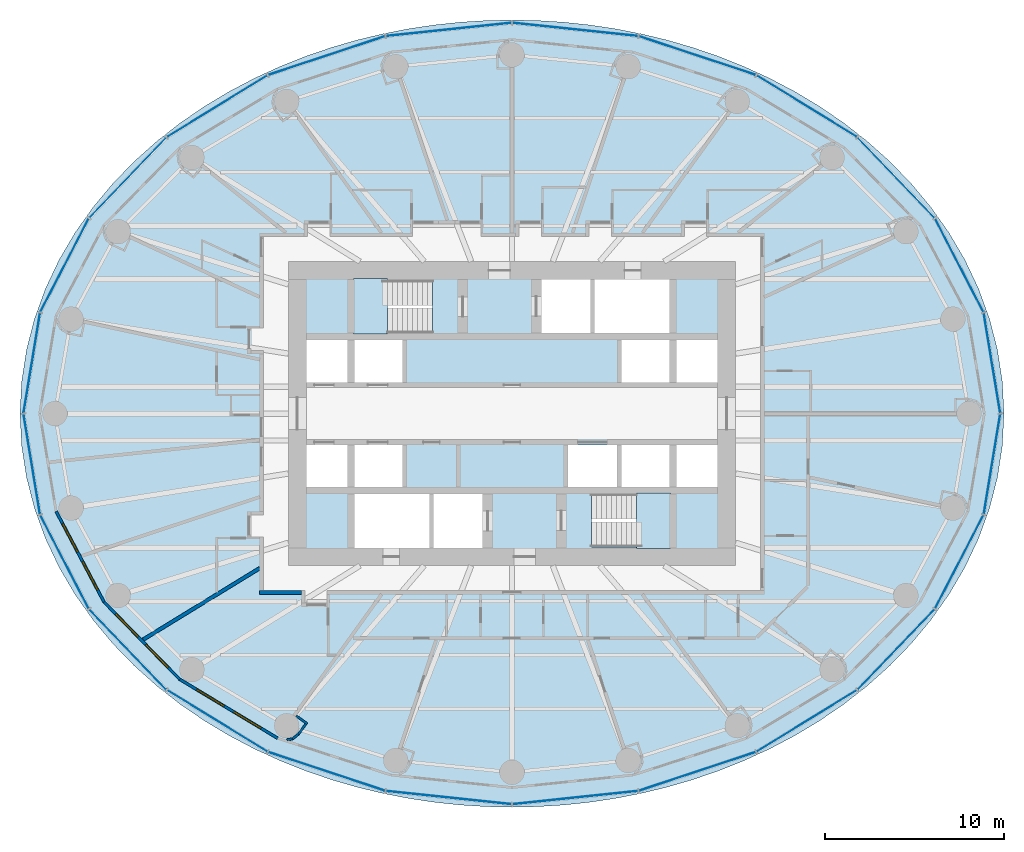
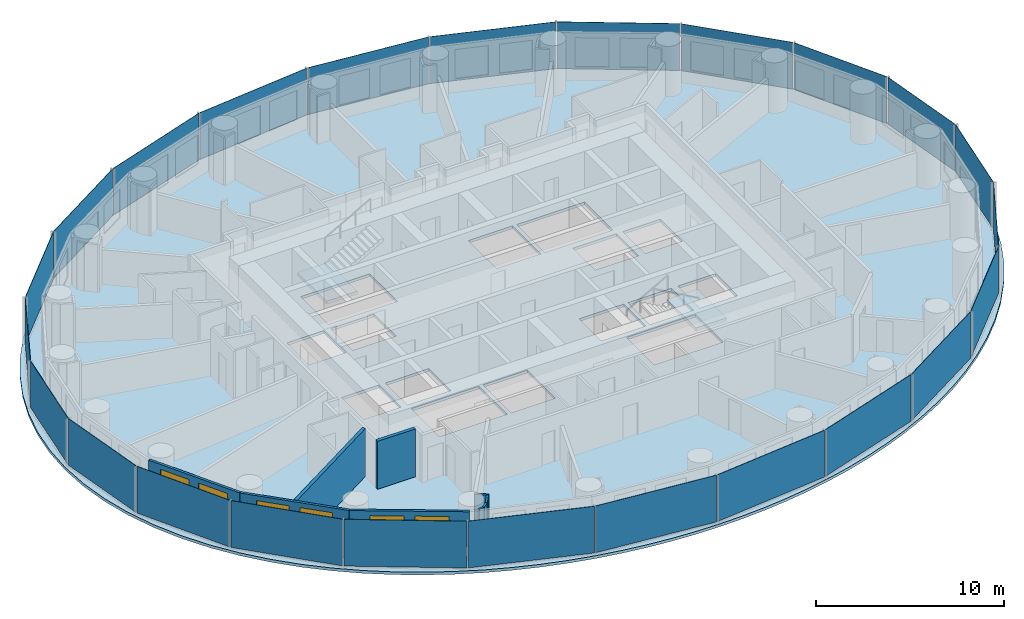
# One storey, part 5 of 14: 24 plates, 9 walls, 6 windows, 3 slabs, 6 openings, 6 elements without a shape of their own.
"""IFC4 building model written with IfcOpenShell, lengths in metres."""

from ifc_helpers import new_model, si_unit, direction, frame, frame_2d, origin, origin_2d, place, context, subcontext, project, spatial, polyline, rectangle, outline, extrude, material, layer, layer_set, type_object, element, fill, aggregate, save


model = new_model("IFC4")

# Units and contexts
model_context = context("Model", 3, precision=1e-05, world=origin(), true_north=direction((0.0, 1.0)))
body_context = subcontext(model_context, "Body", "Model", "MODEL_VIEW")
ifc_project = project(units=[si_unit("LENGTHUNIT", "METRE"), si_unit("AREAUNIT", "SQUARE_METRE"), si_unit("VOLUMEUNIT", "CUBIC_METRE"), si_unit("PLANEANGLEUNIT", "RADIAN"), si_unit("MASSUNIT", "GRAM", prefix="KILO")], contexts=[model_context])

# Site, building, storey
site_placement = place(None, origin())
site = spatial("IfcSite", under=ifc_project, at=site_placement, CompositionType="ELEMENT")
building_placement = place(site_placement, origin())
building = spatial("IfcBuilding", under=site, at=building_placement, Name="Hankou Lantern Tower", CompositionType="ELEMENT")
storey_placement = place(building_placement, frame((0.0, 0.0, 87.0)))
storey = spatial("IfcBuildingStorey", under=building, at=storey_placement, Name="L22", CompositionType="ELEMENT", Elevation=87.0)

# Curtain wall, plates
ifc_material_1 = material(Name="Glass, dark grey tinted laminated", Category="glass")
curtain_wall_type = type_object("IfcCurtainWallType", Name="CWA OUTER SKIN LOW-RISE", PredefinedType="USERDEFINED", material=ifc_material_1)
curtain_wall_1_placement = place(storey_placement, origin())
curtain_wall_1 = element("IfcCurtainWall", 1, at=curtain_wall_1_placement, inside=storey, type_object=curtain_wall_type, Name="CWA L22 OS1", ObjectType="OUTER SKIN LOW-RISE", PredefinedType="USERDEFINED")
ifc_material_2 = material(Name="Glass, dark grey tinted laminated", Category="glass")
ifc_layer_1 = layer(ifc_material_2, 0.02392578125)
ifc_layer_set_1 = layer_set([ifc_layer_1], Name="Glass, dark grey tinted laminated")
plate_type = type_object("IfcPlateType", Name="PN1 OUTER SKIN GLASS PANEL", PredefinedType="CURTAIN_PANEL", material=ifc_layer_set_1)
plate_1_placement = place(storey_placement, frame((26.8349609375, 2.826416015625, 0.080078125), z_axis=(0.0, 0.0, 1.0), x_axis=(-0.162381515188, 0.986728049427, 0.0)))
plate_1 = element("IfcPlate", 2, at=plate_1_placement, type_object=plate_type, Name="CWA glass panel 1", PredefinedType="CURTAIN_PANEL", context=body_context, shape_type="SweptSolid", body=[
    extrude(rectangle(XDim=5.648681640625, YDim=0.02392578125, at=origin_2d()), origin(), (0.0, 0.0, 1.0), 3.0400390625),
])
plate_2_placement = place(storey_placement, frame((25.006103515625, 8.286376953125, 0.080078125), z_axis=(0.0, 0.0, 1.0), x_axis=(-0.459791091957, 0.888027112062, 0.0)))
plate_2 = element("IfcPlate", 3, at=plate_2_placement, type_object=plate_type, Name="CWA glass panel 2", PredefinedType="CURTAIN_PANEL", context=body_context, shape_type="SweptSolid", body=[
    extrude(rectangle(XDim=5.8515625, YDim=0.02392578125, at=origin_2d()), origin(), (0.0, 0.0, 1.0), 3.0400390625),
])
plate_3_placement = place(storey_placement, frame((21.47314453125, 13.181640625, 0.080078125), z_axis=(0.0, 0.0, 1.0), x_axis=(-0.692215809936, 0.721690565599, 0.0)))
plate_3 = element("IfcPlate", 4, at=plate_3_placement, type_object=plate_type, Name="CWA glass panel 3", PredefinedType="CURTAIN_PANEL", context=body_context, shape_type="SweptSolid", body=[
    extrude(rectangle(XDim=6.1875, YDim=0.02392578125, at=origin_2d()), origin(), (0.0, 0.0, 1.0), 3.0400390625),
])
plate_4_placement = place(storey_placement, frame((16.47705078125, 17.1787109375, 0.080078125), z_axis=(0.0, 0.0, 1.0), x_axis=(-0.852237151549, 0.523155653242, 0.0)))
plate_4 = element("IfcPlate", 5, at=plate_4_placement, type_object=plate_type, Name="CWA glass panel 4", PredefinedType="CURTAIN_PANEL", context=body_context, shape_type="SweptSolid", body=[
    extrude(rectangle(XDim=6.554443359375, YDim=0.02392578125, at=origin_2d()), origin(), (0.0, 0.0, 1.0), 3.0400390625),
])
plate_5_placement = place(storey_placement, frame((10.35791015625, 20.0048828125, 0.080078125), z_axis=(0.0, 0.0, 1.0), x_axis=(-0.949240677293, 0.31455068999, 0.0)))
plate_5 = element("IfcPlate", 6, at=plate_5_placement, type_object=plate_type, Name="CWA glass panel 5", PredefinedType="CURTAIN_PANEL", context=body_context, shape_type="SweptSolid", body=[
    extrude(rectangle(XDim=6.856201171875, YDim=0.02392578125, at=origin_2d()), origin(), (0.0, 0.0, 1.0), 3.0400390625),
])
plate_6_placement = place(storey_placement, frame((3.532958984375, 21.468017578125, 0.080078125), z_axis=(0.0, 0.0, 1.0), x_axis=(-0.994499359107, 0.104742659579, 0.0)))
plate_6 = element("IfcPlate", 7, at=plate_6_placement, type_object=plate_type, Name="CWA glass panel 6", PredefinedType="CURTAIN_PANEL", context=body_context, shape_type="SweptSolid", body=[
    extrude(rectangle(XDim=7.02490234375, YDim=0.02392578125, at=origin_2d()), origin(), (0.0, 0.0, 1.0), 3.0400390625),
])
aggregate(curtain_wall_1, [plate_1, plate_2, plate_3, plate_4, plate_5, plate_6])

curtain_wall_2_placement = place(storey_placement, origin())
curtain_wall_2 = element("IfcCurtainWall", 8, at=curtain_wall_2_placement, inside=storey, type_object=curtain_wall_type, Name="CWA L22 OS2", ObjectType="OUTER SKIN LOW-RISE", PredefinedType="USERDEFINED")
plate_7_placement = place(storey_placement, frame((-3.532958984375, 21.468017578125, 0.080078125), z_axis=(0.0, 0.0, 1.0), x_axis=(-0.994499359107, -0.104742659579, 0.0)))
plate_7 = element("IfcPlate", 9, at=plate_7_placement, type_object=plate_type, Name="CWA glass panel 1", PredefinedType="CURTAIN_PANEL", context=body_context, shape_type="SweptSolid", body=[
    extrude(rectangle(XDim=7.02490234375, YDim=0.02392578125, at=origin_2d()), origin(), (0.0, 0.0, 1.0), 3.0400390625),
])
plate_8_placement = place(storey_placement, frame((-10.35791015625, 20.0048828125, 0.080078125), z_axis=(0.0, 0.0, 1.0), x_axis=(-0.949240677293, -0.31455068999, 0.0)))
plate_8 = element("IfcPlate", 10, at=plate_8_placement, type_object=plate_type, Name="CWA glass panel 2", PredefinedType="CURTAIN_PANEL", context=body_context, shape_type="SweptSolid", body=[
    extrude(rectangle(XDim=6.856201171875, YDim=0.02392578125, at=origin_2d()), origin(), (0.0, 0.0, 1.0), 3.0400390625),
])
plate_9_placement = place(storey_placement, frame((-16.47705078125, 17.1787109375, 0.080078125), z_axis=(0.0, 0.0, 1.0), x_axis=(-0.852237151549, -0.523155653242, 0.0)))
plate_9 = element("IfcPlate", 11, at=plate_9_placement, type_object=plate_type, Name="CWA glass panel 3", PredefinedType="CURTAIN_PANEL", context=body_context, shape_type="SweptSolid", body=[
    extrude(rectangle(XDim=6.554443359375, YDim=0.02392578125, at=origin_2d()), origin(), (0.0, 0.0, 1.0), 3.0400390625),
])
plate_10_placement = place(storey_placement, frame((-21.47314453125, 13.181640625, 0.080078125), z_axis=(0.0, 0.0, 1.0), x_axis=(-0.692215809936, -0.721690565599, 0.0)))
plate_10 = element("IfcPlate", 12, at=plate_10_placement, type_object=plate_type, Name="CWA glass panel 4", PredefinedType="CURTAIN_PANEL", context=body_context, shape_type="SweptSolid", body=[
    extrude(rectangle(XDim=6.1875, YDim=0.02392578125, at=origin_2d()), origin(), (0.0, 0.0, 1.0), 3.0400390625),
])
plate_11_placement = place(storey_placement, frame((-25.006103515625, 8.286376953125, 0.080078125), z_axis=(0.0, 0.0, 1.0), x_axis=(-0.459791091957, -0.888027112062, 0.0)))
plate_11 = element("IfcPlate", 13, at=plate_11_placement, type_object=plate_type, Name="CWA glass panel 5", PredefinedType="CURTAIN_PANEL", context=body_context, shape_type="SweptSolid", body=[
    extrude(rectangle(XDim=5.8515625, YDim=0.02392578125, at=origin_2d()), origin(), (0.0, 0.0, 1.0), 3.0400390625),
])
plate_12_placement = place(storey_placement, frame((-26.8349609375, 2.826416015625, 0.080078125), z_axis=(0.0, 0.0, 1.0), x_axis=(-0.162381515188, -0.986728049427, 0.0)))
plate_12 = element("IfcPlate", 14, at=plate_12_placement, type_object=plate_type, Name="CWA glass panel 6", PredefinedType="CURTAIN_PANEL", context=body_context, shape_type="SweptSolid", body=[
    extrude(rectangle(XDim=5.648681640625, YDim=0.02392578125, at=origin_2d()), origin(), (0.0, 0.0, 1.0), 3.0400390625),
])
aggregate(curtain_wall_2, [plate_7, plate_8, plate_9, plate_10, plate_11, plate_12])

curtain_wall_3_placement = place(storey_placement, origin())
curtain_wall_3 = element("IfcCurtainWall", 15, at=curtain_wall_3_placement, inside=storey, type_object=curtain_wall_type, Name="CWA L22 OS3", ObjectType="OUTER SKIN LOW-RISE", PredefinedType="USERDEFINED")
plate_13_placement = place(storey_placement, frame((-26.8349609375, -2.826416015625, 0.080078125), z_axis=(0.0, 0.0, 1.0), x_axis=(0.162381515188, -0.986728049427, 0.0)))
plate_13 = element("IfcPlate", 16, at=plate_13_placement, type_object=plate_type, Name="CWA glass panel 1", PredefinedType="CURTAIN_PANEL", context=body_context, shape_type="SweptSolid", body=[
    extrude(rectangle(XDim=5.648681640625, YDim=0.02392578125, at=origin_2d()), origin(), (0.0, 0.0, 1.0), 3.0400390625),
])
plate_14_placement = place(storey_placement, frame((-25.006103515625, -8.286376953125, 0.080078125), z_axis=(0.0, 0.0, 1.0), x_axis=(0.459791091957, -0.888027112062, 0.0)))
plate_14 = element("IfcPlate", 17, at=plate_14_placement, type_object=plate_type, Name="CWA glass panel 2", PredefinedType="CURTAIN_PANEL", context=body_context, shape_type="SweptSolid", body=[
    extrude(rectangle(XDim=5.8515625, YDim=0.02392578125, at=origin_2d()), origin(), (0.0, 0.0, 1.0), 3.0400390625),
])
plate_15_placement = place(storey_placement, frame((-21.47314453125, -13.181640625, 0.080078125), z_axis=(0.0, 0.0, 1.0), x_axis=(0.692215809936, -0.721690565599, 0.0)))
plate_15 = element("IfcPlate", 18, at=plate_15_placement, type_object=plate_type, Name="CWA glass panel 3", PredefinedType="CURTAIN_PANEL", context=body_context, shape_type="SweptSolid", body=[
    extrude(rectangle(XDim=6.1875, YDim=0.02392578125, at=origin_2d()), origin(), (0.0, 0.0, 1.0), 3.0400390625),
])
plate_16_placement = place(storey_placement, frame((-16.47705078125, -17.1787109375, 0.080078125), z_axis=(0.0, 0.0, 1.0), x_axis=(0.852237151549, -0.523155653242, 0.0)))
plate_16 = element("IfcPlate", 19, at=plate_16_placement, type_object=plate_type, Name="CWA glass panel 4", PredefinedType="CURTAIN_PANEL", context=body_context, shape_type="SweptSolid", body=[
    extrude(rectangle(XDim=6.554443359375, YDim=0.02392578125, at=origin_2d()), origin(), (0.0, 0.0, 1.0), 3.0400390625),
])
plate_17_placement = place(storey_placement, frame((-10.35791015625, -20.0048828125, 0.080078125), z_axis=(0.0, 0.0, 1.0), x_axis=(0.949240677293, -0.31455068999, 0.0)))
plate_17 = element("IfcPlate", 20, at=plate_17_placement, type_object=plate_type, Name="CWA glass panel 5", PredefinedType="CURTAIN_PANEL", context=body_context, shape_type="SweptSolid", body=[
    extrude(rectangle(XDim=6.856201171875, YDim=0.02392578125, at=origin_2d()), origin(), (0.0, 0.0, 1.0), 3.0400390625),
])
plate_18_placement = place(storey_placement, frame((-3.532958984375, -21.468017578125, 0.080078125), z_axis=(0.0, 0.0, 1.0), x_axis=(0.994499359107, -0.104742659579, 0.0)))
plate_18 = element("IfcPlate", 21, at=plate_18_placement, type_object=plate_type, Name="CWA glass panel 6", PredefinedType="CURTAIN_PANEL", context=body_context, shape_type="SweptSolid", body=[
    extrude(rectangle(XDim=7.02490234375, YDim=0.02392578125, at=origin_2d()), origin(), (0.0, 0.0, 1.0), 3.0400390625),
])
aggregate(curtain_wall_3, [plate_13, plate_14, plate_15, plate_16, plate_17, plate_18])

curtain_wall_4_placement = place(storey_placement, origin())
curtain_wall_4 = element("IfcCurtainWall", 22, at=curtain_wall_4_placement, inside=storey, type_object=curtain_wall_type, Name="CWA L22 OS4", ObjectType="OUTER SKIN LOW-RISE", PredefinedType="USERDEFINED")
plate_19_placement = place(storey_placement, frame((3.532958984375, -21.468017578125, 0.080078125), z_axis=(0.0, 0.0, 1.0), x_axis=(0.994499359107, 0.104742659579, 0.0)))
plate_19 = element("IfcPlate", 23, at=plate_19_placement, type_object=plate_type, Name="CWA glass panel 1", PredefinedType="CURTAIN_PANEL", context=body_context, shape_type="SweptSolid", body=[
    extrude(rectangle(XDim=7.02490234375, YDim=0.02392578125, at=origin_2d()), origin(), (0.0, 0.0, 1.0), 3.0400390625),
])
plate_20_placement = place(storey_placement, frame((10.35791015625, -20.0048828125, 0.080078125), z_axis=(0.0, 0.0, 1.0), x_axis=(0.949240677293, 0.31455068999, 0.0)))
plate_20 = element("IfcPlate", 24, at=plate_20_placement, type_object=plate_type, Name="CWA glass panel 2", PredefinedType="CURTAIN_PANEL", context=body_context, shape_type="SweptSolid", body=[
    extrude(rectangle(XDim=6.856201171875, YDim=0.02392578125, at=origin_2d()), origin(), (0.0, 0.0, 1.0), 3.0400390625),
])
plate_21_placement = place(storey_placement, frame((16.47705078125, -17.1787109375, 0.080078125), z_axis=(0.0, 0.0, 1.0), x_axis=(0.852237151549, 0.523155653242, 0.0)))
plate_21 = element("IfcPlate", 25, at=plate_21_placement, type_object=plate_type, Name="CWA glass panel 3", PredefinedType="CURTAIN_PANEL", context=body_context, shape_type="SweptSolid", body=[
    extrude(rectangle(XDim=6.554443359375, YDim=0.02392578125, at=origin_2d()), origin(), (0.0, 0.0, 1.0), 3.0400390625),
])
plate_22_placement = place(storey_placement, frame((21.47314453125, -13.181640625, 0.080078125), z_axis=(0.0, 0.0, 1.0), x_axis=(0.692215809936, 0.721690565599, 0.0)))
plate_22 = element("IfcPlate", 26, at=plate_22_placement, type_object=plate_type, Name="CWA glass panel 4", PredefinedType="CURTAIN_PANEL", context=body_context, shape_type="SweptSolid", body=[
    extrude(rectangle(XDim=6.1875, YDim=0.02392578125, at=origin_2d()), origin(), (0.0, 0.0, 1.0), 3.0400390625),
])
plate_23_placement = place(storey_placement, frame((25.006103515625, -8.286376953125, 0.080078125), z_axis=(0.0, 0.0, 1.0), x_axis=(0.459791091957, 0.888027112062, 0.0)))
plate_23 = element("IfcPlate", 27, at=plate_23_placement, type_object=plate_type, Name="CWA glass panel 5", PredefinedType="CURTAIN_PANEL", context=body_context, shape_type="SweptSolid", body=[
    extrude(rectangle(XDim=5.8515625, YDim=0.02392578125, at=origin_2d()), origin(), (0.0, 0.0, 1.0), 3.0400390625),
])
plate_24_placement = place(storey_placement, frame((26.8349609375, -2.826416015625, 0.080078125), z_axis=(0.0, 0.0, 1.0), x_axis=(0.162381515188, 0.986728049427, 0.0)))
plate_24 = element("IfcPlate", 28, at=plate_24_placement, type_object=plate_type, Name="CWA glass panel 6", PredefinedType="CURTAIN_PANEL", context=body_context, shape_type="SweptSolid", body=[
    extrude(rectangle(XDim=5.648681640625, YDim=0.02392578125, at=origin_2d()), origin(), (0.0, 0.0, 1.0), 3.0400390625),
])
aggregate(curtain_wall_4, [plate_19, plate_20, plate_21, plate_22, plate_23, plate_24])

# Slab
ifc_material_3 = material(Name="Concrete C50", Category="concrete")
ifc_layer_2 = layer(ifc_material_3, 0.179931640625)
ifc_layer_set_2 = layer_set([ifc_layer_2], Name="Concrete C50")
slab_type_1 = type_object("IfcSlabType", Name="S1 CONCRETE FLOOR SLAB 180", PredefinedType="FLOOR", material=ifc_layer_set_2)
slab_1_placement = place(storey_placement, frame((0.0, 0.0, -0.179931640625)))
element("IfcSlab", 29, at=slab_1_placement, inside=storey, type_object=slab_type_1, Name="Floor slab L22", PredefinedType="FLOOR", context=body_context, shape_type="SweptSolid", body=[
    extrude(outline(polyline([(27.5, 0.0), (27.408203125, 1.79638671875), (27.135009765625, 3.572509765625), (26.6875, 5.308349609375), (26.076171875, 6.987060546875), (25.3154296875, 8.593505859375), (24.420654296875, 10.115478515625), (23.40966796875, 11.54443359375), (22.29931640625, 12.87451171875), (21.1064453125, 14.102783203125), (19.846435546875, 15.228759765625), (18.533447265625, 16.25341796875), (17.17919921875, 17.17919921875), (15.794189453125, 18.009765625), (14.38671875, 18.749267578125), (12.964111328125, 19.402099609375), (11.53125, 19.972412109375), (10.09228515625, 20.46484375), (8.650146484375, 20.88330078125), (7.20703125, 21.23095703125), (5.763916015625, 21.51123046875), (4.32177734375, 21.7265625), (2.88037109375, 21.87890625), (1.43994140625, 21.9697265625), (0.0, 22.0), (-1.43994140625, 21.9697265625), (-2.88037109375, 21.87890625), (-4.32177734375, 21.7265625), (-5.763916015625, 21.51123046875), (-7.20703125, 21.23095703125), (-8.650146484375, 20.88330078125), (-10.09228515625, 20.46484375), (-11.53125, 19.972412109375), (-12.964111328125, 19.402099609375), (-14.38671875, 18.749267578125), (-15.794189453125, 18.009765625), (-17.17919921875, 17.17919921875), (-18.533447265625, 16.25341796875), (-19.846435546875, 15.228759765625), (-21.1064453125, 14.102783203125), (-22.29931640625, 12.87451171875), (-23.40966796875, 11.54443359375), (-24.420654296875, 10.115478515625), (-25.3154296875, 8.593505859375), (-26.076171875, 6.987060546875), (-26.6875, 5.308349609375), (-27.135009765625, 3.572509765625), (-27.408203125, 1.79638671875), (-27.5, 0.0), (-27.408203125, -1.79638671875), (-27.135009765625, -3.572509765625), (-26.6875, -5.308349609375), (-26.076171875, -6.987060546875), (-25.3154296875, -8.593505859375), (-24.420654296875, -10.115478515625), (-23.40966796875, -11.54443359375), (-22.29931640625, -12.87451171875), (-21.1064453125, -14.102783203125), (-19.846435546875, -15.228759765625), (-18.533447265625, -16.25341796875), (-17.17919921875, -17.17919921875), (-15.794189453125, -18.009765625), (-14.38671875, -18.749267578125), (-12.964111328125, -19.402099609375), (-11.53125, -19.972412109375), (-10.09228515625, -20.46484375), (-8.650146484375, -20.88330078125), (-7.20703125, -21.23095703125), (-5.763916015625, -21.51123046875), (-4.32177734375, -21.7265625), (-2.88037109375, -21.87890625), (-1.43994140625, -21.9697265625), (0.0, -22.0), (1.43994140625, -21.9697265625), (2.88037109375, -21.87890625), (4.32177734375, -21.7265625), (5.763916015625, -21.51123046875), (7.20703125, -21.23095703125), (8.650146484375, -20.88330078125), (10.09228515625, -20.46484375), (11.53125, -19.972412109375), (12.964111328125, -19.402099609375), (14.38671875, -18.749267578125), (15.794189453125, -18.009765625), (17.17919921875, -17.17919921875), (18.533447265625, -16.25341796875), (19.846435546875, -15.228759765625), (21.1064453125, -14.102783203125), (22.29931640625, -12.87451171875), (23.40966796875, -11.54443359375), (24.420654296875, -10.115478515625), (25.3154296875, -8.593505859375), (26.076171875, -6.987060546875), (26.6875, -5.308349609375), (27.135009765625, -3.572509765625), (27.408203125, -1.79638671875), (27.5, 0.0)]), holes=[polyline([(-11.5, 4.10009765625), (-9.199951171875, 4.10009765625), (-9.199951171875, 1.75), (-11.5, 1.75), (-11.5, 4.10009765625)]), polyline([(-8.800048828125, 4.10009765625), (-6.125, 4.10009765625), (-6.125, 1.75), (-8.800048828125, 1.75), (-8.800048828125, 4.10009765625)]), polyline([(6.125, 4.10009765625), (8.800048828125, 4.10009765625), (8.800048828125, 1.75), (6.125, 1.75), (6.125, 4.10009765625)]), polyline([(9.199951171875, 4.10009765625), (11.5, 4.10009765625), (11.5, 1.75), (9.199951171875, 1.75), (9.199951171875, 4.10009765625)]), polyline([(-11.5, -1.75), (-9.199951171875, -1.75), (-9.199951171875, -4.10009765625), (-11.5, -4.10009765625), (-11.5, -1.75)]), polyline([(-8.800048828125, -1.75), (-6.125, -1.75), (-6.125, -4.10009765625), (-8.800048828125, -4.10009765625), (-8.800048828125, -1.75)]), polyline([(3.125, -1.75), (5.875, -1.75), (5.875, -4.10009765625), (3.125, -4.10009765625), (3.125, -1.75)]), polyline([(6.125, -1.75), (8.800048828125, -1.75), (8.800048828125, -4.10009765625), (6.125, -4.10009765625), (6.125, -1.75)]), polyline([(9.199951171875, -1.75), (11.5, -1.75), (11.5, -4.10009765625), (9.199951171875, -4.10009765625), (9.199951171875, -1.75)]), polyline([(1.64990234375, 7.5), (4.375, 7.5), (4.375, 4.5), (1.64990234375, 4.5), (1.64990234375, 7.5)]), polyline([(-4.375, -4.5), (-1.64990234375, -4.5), (-1.64990234375, -7.5), (-4.375, -7.5), (-4.375, -4.5)]), polyline([(-8.699951171875, 7.449951171875), (-4.449951171875, 7.449951171875), (-4.449951171875, 4.5), (-8.699951171875, 4.5), (-8.699951171875, 7.449951171875)]), polyline([(4.449951171875, -4.5), (8.699951171875, -4.5), (8.699951171875, -7.449951171875), (4.449951171875, -7.449951171875), (4.449951171875, -4.5)]), polyline([(4.625, 7.5), (8.800048828125, 7.5), (8.800048828125, 4.5), (4.625, 4.5), (4.625, 7.5)]), polyline([(-8.800048828125, -4.5), (-4.625, -4.5), (-4.625, -7.5), (-8.800048828125, -7.5), (-8.800048828125, -4.5)])]), origin(), (0.0, 0.0, 1.0), 0.179931640625),
])

# Stair, slab
ifc_material_4 = material(Name="Concrete C40", Category="concrete")
stair_type = type_object("IfcStairType", Name="ST33 CORE STAIR 3300 RISE", PredefinedType="HALF_TURN_STAIR", material=ifc_material_4)
stair_1_placement = place(storey_placement, origin())
stair_1 = element("IfcStair", 30, at=stair_1_placement, inside=storey, type_object=stair_type, Name="Stair STA L22", PredefinedType="HALF_TURN_STAIR")
ifc_material_5 = material(Name="Concrete C40", Category="concrete")
ifc_layer_3 = layer(ifc_material_5, 0.199951171875)
ifc_layer_set_3 = layer_set([ifc_layer_3], Name="Concrete C40")
slab_type_2 = type_object("IfcSlabType", Name="SL1 STAIR LANDING 200", PredefinedType="LANDING", material=ifc_layer_set_3)
slab_2_placement = place(storey_placement, frame((0.0, 0.0, 1.371337890625)))
slab_2 = element("IfcSlab", 31, at=slab_2_placement, type_object=slab_type_2, Name="STA landing 1", PredefinedType="LANDING", context=body_context, shape_type="SweptSolid", body=[
    extrude(outline(polyline([(-8.85009765625, 4.449951171875), (-6.949951171875, 4.449951171875), (-6.949951171875, 7.550048828125), (-8.85009765625, 7.550048828125), (-8.85009765625, 4.449951171875)])), origin(), (0.0, 0.0, 1.0), 0.2001953125),
])
aggregate(stair_1, [slab_2])

stair_2_placement = place(storey_placement, origin())
stair_2 = element("IfcStair", 32, at=stair_2_placement, inside=storey, type_object=stair_type, Name="Stair STB L22", PredefinedType="HALF_TURN_STAIR")
slab_3_placement = place(storey_placement, frame((0.0, 0.0, 1.371337890625)))
slab_3 = element("IfcSlab", 33, at=slab_3_placement, type_object=slab_type_2, Name="STB landing 1", PredefinedType="LANDING", context=body_context, shape_type="SweptSolid", body=[
    extrude(outline(polyline([(8.85009765625, -4.449951171875), (6.949951171875, -4.449951171875), (6.949951171875, -7.550048828125), (8.85009765625, -7.550048828125), (8.85009765625, -4.449951171875)])), origin(), (0.0, 0.0, 1.0), 0.2001953125),
])
aggregate(stair_2, [slab_3])

# Wall, openings, windows
ifc_material_6 = material(Name="Aluminium spandrel panel on steel studs", Category="steel")
ifc_layer_4 = layer(ifc_material_6, 0.14990234375)
ifc_layer_set_4 = layer_set([ifc_layer_4], Name="Aluminium spandrel panel on steel studs")
wall_type_1 = type_object("IfcWallType", Name="EW1 INNER SKIN WALL 150", PredefinedType="ELEMENTEDWALL", material=ifc_layer_set_4)
wall_1_placement = place(storey_placement, frame((-25.482421875, -5.46240234375, 0.0), z_axis=(0.0, 0.0, 1.0), x_axis=(0.467296867008, -0.884100468321, 0.0)))
wall_1 = element("IfcWall", 34, at=wall_1_placement, inside=storey, type_object=wall_type_1, Name="Inner skin R14-R15 L22", PredefinedType="ELEMENTEDWALL", context=body_context, shape_type="SweptSolid", body=[
    extrude(rectangle(XDim=5.734375, YDim=0.14990234375, at=frame_2d((2.8671875, 0.0))), origin(), (0.0, 0.0, 1.0), 3.1201171875),
])
opening_1_placement = place(wall_1_placement, frame((0.76708984375, 0.0, 0.89990234375)))
opening_1 = element("IfcOpeningElement", 35, at=opening_1_placement, cuts=wall_1, Name="Opening W1", PredefinedType="OPENING", context=body_context, shape_type="SweptSolid", body=[
    extrude(rectangle(XDim=1.800048828125, YDim=1.89990234375, at=frame_2d((0.89990234375, 0.949951171875))), frame((0.0, 0.0849609375, 0.0), z_axis=(0.0, -1.0, 0.0), x_axis=(1.0, 0.0, 0.0)), (0.0, 0.0, 1.0), 0.169921875),
])
opening_2_placement = place(wall_1_placement, frame((3.167236328125, 0.0, 0.89990234375)))
opening_2 = element("IfcOpeningElement", 36, at=opening_2_placement, cuts=wall_1, Name="Opening W1", PredefinedType="OPENING", context=body_context, shape_type="SweptSolid", body=[
    extrude(rectangle(XDim=1.800048828125, YDim=1.89990234375, at=frame_2d((0.89990234375, 0.949951171875))), frame((0.0, 0.0849609375, 0.0), z_axis=(0.0, -1.0, 0.0), x_axis=(1.0, 0.0, 0.0)), (0.0, 0.0, 1.0), 0.169921875),
])
ifc_material_7 = material(Name="Aluminium framed double glazed window", Category="aluminium")
window_type = type_object("IfcWindowType", Name="W1 GUEST ROOM WINDOW 1800X1900", PartitioningType="DOUBLE_PANEL_VERTICAL", PredefinedType="WINDOW", material=ifc_material_7)
window_1_placement = place(opening_1_placement, origin())
window_1 = element("IfcWindow", 37, at=window_1_placement, inside=storey, type_object=window_type, Name="Window R14.1 L22", OverallHeight=1.89990234375, OverallWidth=1.800048828125, PartitioningType="SINGLE_PANEL", PredefinedType="WINDOW", context=body_context, shape_type="SweptSolid", body=[
    extrude(rectangle(XDim=1.800048828125, YDim=1.89990234375, at=frame_2d((0.89990234375, 0.949951171875))), frame((0.0, 0.030029296875, 0.0), z_axis=(0.0, -1.0, 0.0), x_axis=(1.0, 0.0, 0.0)), (0.0, 0.0, 1.0), 0.06005859375),
])
fill(opening_1, window_1)
window_2_placement = place(opening_2_placement, origin())
window_2 = element("IfcWindow", 38, at=window_2_placement, inside=storey, type_object=window_type, Name="Window R14.2 L22", OverallHeight=1.89990234375, OverallWidth=1.800048828125, PartitioningType="SINGLE_PANEL", PredefinedType="WINDOW", context=body_context, shape_type="SweptSolid", body=[
    extrude(rectangle(XDim=1.800048828125, YDim=1.89990234375, at=frame_2d((0.89990234375, 0.949951171875))), frame((0.0, 0.030029296875, 0.0), z_axis=(0.0, -1.0, 0.0), x_axis=(1.0, 0.0, 0.0)), (0.0, 0.0, 1.0), 0.06005859375),
])
fill(opening_2, window_2)

wall_2_placement = place(storey_placement, frame((-22.802734375, -10.5322265625, 0.0), z_axis=(0.0, 0.0, 1.0), x_axis=(0.699602905915, -0.714531856557, 0.0)))
wall_2 = element("IfcWall", 39, at=wall_2_placement, inside=storey, type_object=wall_type_1, Name="Inner skin R15-R16 L22", PredefinedType="ELEMENTEDWALL", context=body_context, shape_type="SweptSolid", body=[
    extrude(rectangle(XDim=6.05078125, YDim=0.14990234375, at=frame_2d((3.025390625, 0.0))), origin(), (0.0, 0.0, 1.0), 3.1201171875),
])
opening_3_placement = place(wall_2_placement, frame((0.925537109375, 0.0, 0.89990234375)))
opening_3 = element("IfcOpeningElement", 40, at=opening_3_placement, cuts=wall_2, Name="Opening W1", PredefinedType="OPENING", context=body_context, shape_type="SweptSolid", body=[
    extrude(rectangle(XDim=1.800048828125, YDim=1.89990234375, at=frame_2d((0.89990234375, 0.949951171875))), frame((0.0, 0.0849609375, 0.0), z_axis=(0.0, -1.0, 0.0), x_axis=(1.0, 0.0, 0.0)), (0.0, 0.0, 1.0), 0.169921875),
])
opening_4_placement = place(wall_2_placement, frame((3.325439453125, 0.0, 0.89990234375)))
opening_4 = element("IfcOpeningElement", 41, at=opening_4_placement, cuts=wall_2, Name="Opening W1", PredefinedType="OPENING", context=body_context, shape_type="SweptSolid", body=[
    extrude(rectangle(XDim=1.800048828125, YDim=1.89990234375, at=frame_2d((0.89990234375, 0.949951171875))), frame((0.0, 0.0849609375, 0.0), z_axis=(0.0, -1.0, 0.0), x_axis=(1.0, 0.0, 0.0)), (0.0, 0.0, 1.0), 0.169921875),
])
window_3_placement = place(opening_3_placement, origin())
window_3 = element("IfcWindow", 42, at=window_3_placement, inside=storey, type_object=window_type, Name="Window R15.1 L22", OverallHeight=1.89990234375, OverallWidth=1.800048828125, PartitioningType="SINGLE_PANEL", PredefinedType="WINDOW", context=body_context, shape_type="SweptSolid", body=[
    extrude(rectangle(XDim=1.800048828125, YDim=1.89990234375, at=frame_2d((0.89990234375, 0.949951171875))), frame((0.0, 0.030029296875, 0.0), z_axis=(0.0, -1.0, 0.0), x_axis=(1.0, 0.0, 0.0)), (0.0, 0.0, 1.0), 0.06005859375),
])
fill(opening_3, window_3)
window_4_placement = place(opening_4_placement, origin())
window_4 = element("IfcWindow", 43, at=window_4_placement, inside=storey, type_object=window_type, Name="Window R15.2 L22", OverallHeight=1.89990234375, OverallWidth=1.800048828125, PartitioningType="SINGLE_PANEL", PredefinedType="WINDOW", context=body_context, shape_type="SweptSolid", body=[
    extrude(rectangle(XDim=1.800048828125, YDim=1.89990234375, at=frame_2d((0.89990234375, 0.949951171875))), frame((0.0, 0.030029296875, 0.0), z_axis=(0.0, -1.0, 0.0), x_axis=(1.0, 0.0, 0.0)), (0.0, 0.0, 1.0), 0.06005859375),
])
fill(opening_4, window_4)

wall_3_placement = place(storey_placement, frame((-18.569580078125, -14.855712890625, 0.0), z_axis=(0.0, 0.0, 1.0), x_axis=(0.856983180864, -0.515344377787, 0.0)))
wall_3 = element("IfcWall", 44, at=wall_3_placement, inside=storey, type_object=wall_type_1, Name="Inner skin R16-R17 L22", PredefinedType="ELEMENTEDWALL", context=body_context, shape_type="SweptSolid", body=[
    extrude(rectangle(XDim=6.386474609375, YDim=0.14990234375, at=frame_2d((3.193359375, 0.0))), origin(), (0.0, 0.0, 1.0), 3.1201171875),
])
opening_5_placement = place(wall_3_placement, frame((1.09326171875, 0.0, 0.89990234375)))
opening_5 = element("IfcOpeningElement", 45, at=opening_5_placement, cuts=wall_3, Name="Opening W1", PredefinedType="OPENING", context=body_context, shape_type="SweptSolid", body=[
    extrude(rectangle(XDim=1.800048828125, YDim=1.89990234375, at=frame_2d((0.89990234375, 0.949951171875))), frame((0.0, 0.0849609375, 0.0), z_axis=(0.0, -1.0, 0.0), x_axis=(1.0, 0.0, 0.0)), (0.0, 0.0, 1.0), 0.169921875),
])
opening_6_placement = place(wall_3_placement, frame((3.4931640625, 0.0, 0.89990234375)))
opening_6 = element("IfcOpeningElement", 46, at=opening_6_placement, cuts=wall_3, Name="Opening W1", PredefinedType="OPENING", context=body_context, shape_type="SweptSolid", body=[
    extrude(rectangle(XDim=1.800048828125, YDim=1.89990234375, at=frame_2d((0.89990234375, 0.949951171875))), frame((0.0, 0.0849609375, 0.0), z_axis=(0.0, -1.0, 0.0), x_axis=(1.0, 0.0, 0.0)), (0.0, 0.0, 1.0), 0.169921875),
])
window_5_placement = place(opening_5_placement, origin())
window_5 = element("IfcWindow", 47, at=window_5_placement, inside=storey, type_object=window_type, Name="Window R16.1 L22", OverallHeight=1.89990234375, OverallWidth=1.800048828125, PartitioningType="SINGLE_PANEL", PredefinedType="WINDOW", context=body_context, shape_type="SweptSolid", body=[
    extrude(rectangle(XDim=1.800048828125, YDim=1.89990234375, at=frame_2d((0.89990234375, 0.949951171875))), frame((0.0, 0.030029296875, 0.0), z_axis=(0.0, -1.0, 0.0), x_axis=(1.0, 0.0, 0.0)), (0.0, 0.0, 1.0), 0.06005859375),
])
fill(opening_5, window_5)
window_6_placement = place(opening_6_placement, origin())
window_6 = element("IfcWindow", 48, at=window_6_placement, inside=storey, type_object=window_type, Name="Window R16.2 L22", OverallHeight=1.89990234375, OverallWidth=1.800048828125, PartitioningType="SINGLE_PANEL", PredefinedType="WINDOW", context=body_context, shape_type="SweptSolid", body=[
    extrude(rectangle(XDim=1.800048828125, YDim=1.89990234375, at=frame_2d((0.89990234375, 0.949951171875))), frame((0.0, 0.030029296875, 0.0), z_axis=(0.0, -1.0, 0.0), x_axis=(1.0, 0.0, 0.0)), (0.0, 0.0, 1.0), 0.06005859375),
])
fill(opening_6, window_6)

# Walls
ifc_material_8 = material(Name="Masonry lightweight concrete block", Category="masonry")
ifc_layer_5 = layer(ifc_material_8, 0.199951171875)
ifc_layer_set_5 = layer_set([ifc_layer_5], Name="Masonry lightweight concrete block")
wall_type_2 = type_object("IfcWallType", Name="IW1 GUEST ROOM PARTY WALL 200", PredefinedType="PARTITIONING", material=ifc_layer_set_5)
wall_4_placement = place(storey_placement, frame((-14.10009765625, -8.638916015625, 0.0), z_axis=(0.0, 0.0, 1.0), x_axis=(-0.852672493023, -0.522445805459, 0.0)))
element("IfcWall", 49, at=wall_4_placement, inside=storey, type_object=wall_type_2, Name="Party wall R15-R16", PredefinedType="PARTITIONING", context=body_context, shape_type="SweptSolid", body=[
    extrude(rectangle(XDim=7.63330078125, YDim=0.199951171875, at=frame_2d((3.816650390625, 0.0))), origin(), (0.0, 0.0, 1.0), 3.1201171875),
])
ifc_material_9 = material(Name="Masonry lightweight concrete block", Category="masonry")
ifc_layer_6 = layer(ifc_material_9, 0.199951171875)
ifc_layer_set_6 = layer_set([ifc_layer_6], Name="Masonry lightweight concrete block")
wall_type_3 = type_object("IfcWallType", Name="IW2 CORRIDOR WALL 200", PredefinedType="PARTITIONING", material=ifc_layer_set_6)
wall_5_placement = place(storey_placement, frame((-11.76904296875, -10.0, 0.0), z_axis=(0.0, 0.0, 1.0), x_axis=(-1.0, 0.0, 0.0)))
element("IfcWall", 50, at=wall_5_placement, inside=storey, type_object=wall_type_3, Name="Corridor wall south", PredefinedType="PARTITIONING", context=body_context, shape_type="SweptSolid", body=[
    extrude(rectangle(XDim=2.3310546875, YDim=0.199951171875, at=frame_2d((1.16552734375, 0.0))), origin(), (0.0, 0.0, 1.0), 3.1201171875),
])
ifc_material_10 = material(Name="Masonry lightweight concrete block", Category="masonry")
ifc_layer_7 = layer(ifc_material_10, 0.1201171875)
ifc_layer_set_7 = layer_set([ifc_layer_7], Name="Masonry lightweight concrete block")
wall_type_4 = type_object("IfcWallType", Name="IW4 PARTITION 120", PredefinedType="PARTITIONING", material=ifc_layer_set_7)
wall_6_placement = place(storey_placement, frame((-12.06494140625, -16.888671875, 0.0), z_axis=(0.0, 0.0, 1.0), x_axis=(0.810821798253, -0.585293098778, 0.0)))
element("IfcWall", 51, at=wall_6_placement, inside=storey, type_object=wall_type_4, Name="Column casing R17 return", PredefinedType="PARTITIONING", context=body_context, shape_type="SweptSolid", body=[
    extrude(rectangle(XDim=0.767578125, YDim=0.1201171875, at=frame_2d((0.3837890625, 0.0))), origin(), (0.0, 0.0, 1.0), 3.1201171875),
])
wall_7_placement = place(storey_placement, frame((-11.5263671875, -17.351318359375, 0.0), z_axis=(0.0, 0.0, 1.0), x_axis=(-0.585223113993, -0.810872312296, 0.0)))
element("IfcWall", 52, at=wall_7_placement, inside=storey, type_object=wall_type_4, Name="Column casing R17", PredefinedType="PARTITIONING", context=body_context, shape_type="SweptSolid", body=[
    extrude(rectangle(XDim=0.699951171875, YDim=0.1201171875, at=frame_2d((0.35009765625, 0.0))), origin(), (0.0, 0.0, 1.0), 3.1201171875),
])
wall_8_placement = place(storey_placement, frame((-11.93603515625, -17.9189453125, 0.0), z_axis=(0.0, 0.0, 1.0), x_axis=(-0.775023088441, -0.631932917629, 0.0)))
element("IfcWall", 53, at=wall_8_placement, inside=storey, type_object=wall_type_4, Name="Column casing R17", PredefinedType="PARTITIONING", context=body_context, shape_type="SweptSolid", body=[
    extrude(rectangle(XDim=0.41796875, YDim=0.1201171875, at=frame_2d((0.208984375, 0.0))), origin(), (0.0, 0.0, 1.0), 3.1201171875),
])
wall_9_placement = place(storey_placement, frame((-12.260009765625, -18.18310546875, 0.0), z_axis=(0.0, 0.0, 1.0), x_axis=(-0.987218661664, -0.159371622511, 0.0)))
element("IfcWall", 54, at=wall_9_placement, inside=storey, type_object=wall_type_4, Name="Column casing R17", PredefinedType="PARTITIONING", context=body_context, shape_type="SweptSolid", body=[
    extrude(rectangle(XDim=0.330810546875, YDim=0.1201171875, at=frame_2d((0.16552734375, 0.0))), origin(), (0.0, 0.0, 1.0), 3.1201171875),
])

save(model, "model.ifc")
